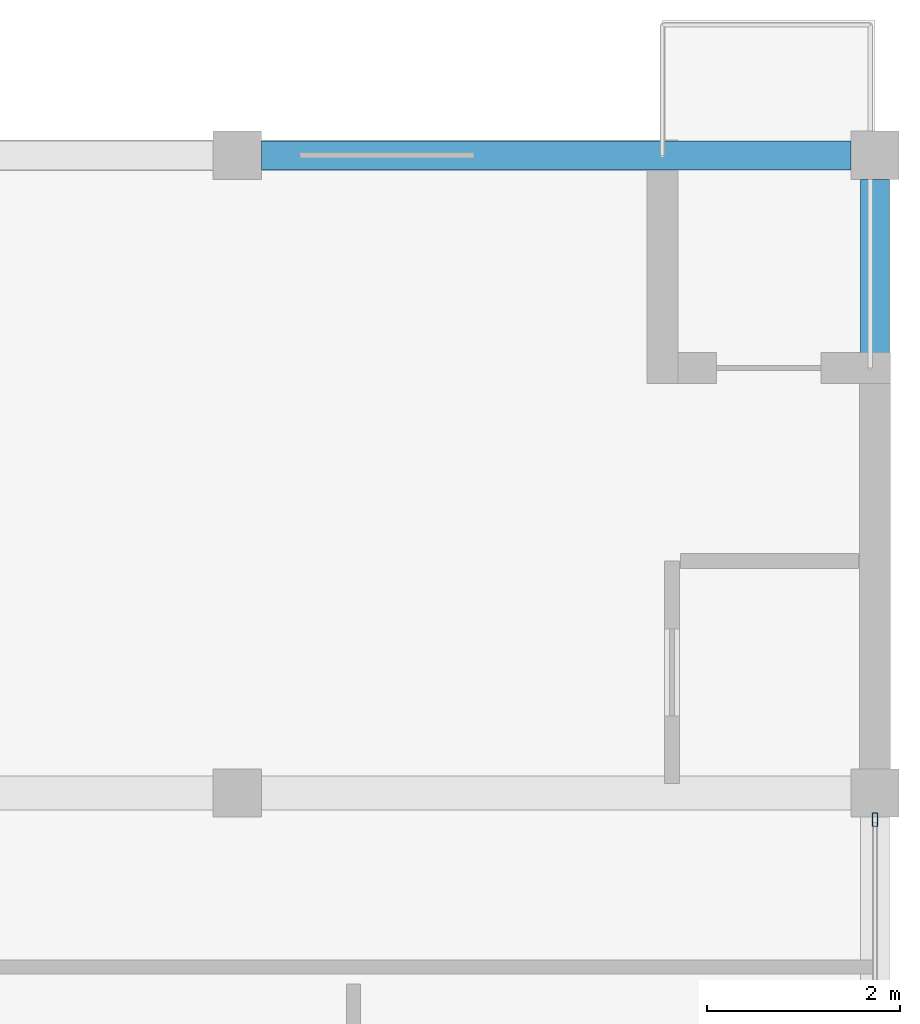
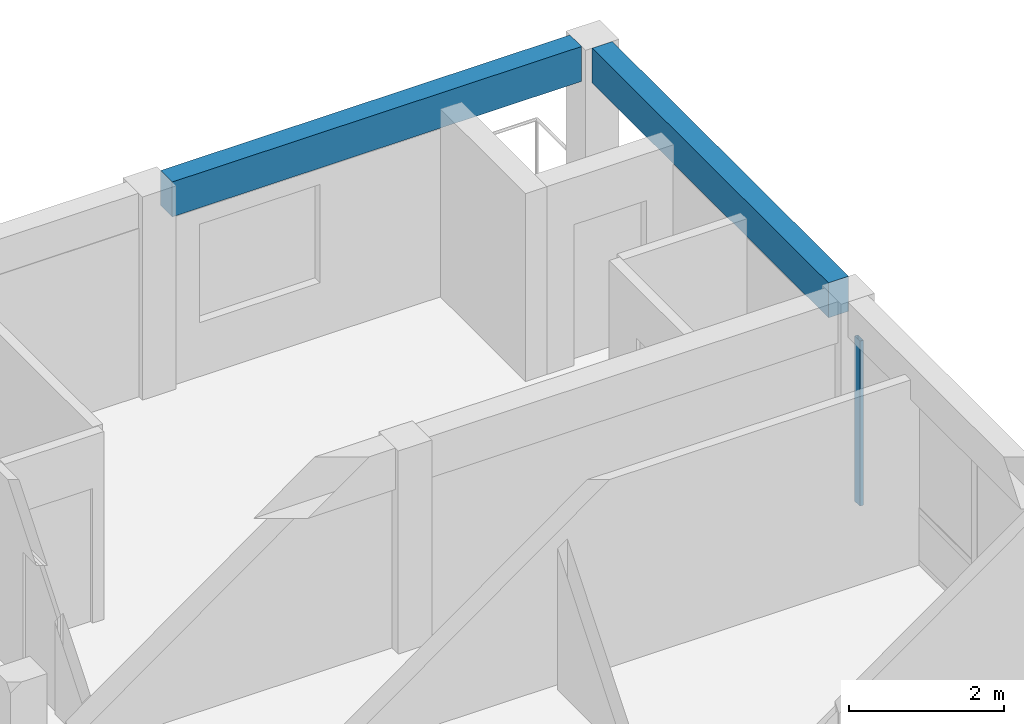
# One storey, part 24 of 53: 2 beams, 1 member, 1 element without a shape of its own.
"""IFC4 building model written with IfcOpenShell, lengths in metres."""

from ifc_helpers import new_model, si_unit, direction, frame, origin, origin_2d, place, context, subcontext, project, spatial, rectangle, hollow_rectangle, extrude, material, material_profile, profile_set, type_object, element, aggregate, save


model = new_model("IFC4")

# Units and contexts
model_context = context("Model", 3, precision=1e-05, world=origin(), true_north=direction((0.0, 1.0)))
body_context = subcontext(model_context, "Body", "Model", "MODEL_VIEW")
ifc_project = project(units=[si_unit("LENGTHUNIT", "METRE"), si_unit("AREAUNIT", "SQUARE_METRE"), si_unit("VOLUMEUNIT", "CUBIC_METRE"), si_unit("PLANEANGLEUNIT", "RADIAN"), si_unit("MASSUNIT", "GRAM", prefix="KILO")], contexts=[model_context])

# Site, building, storey
site_placement = place(None, origin())
site = spatial("IfcSite", under=ifc_project, at=site_placement, CompositionType="ELEMENT")
building_placement = place(site_placement, origin())
building = spatial("IfcBuilding", under=site, at=building_placement, Name="Kernevlak Ridge Housing Community", CompositionType="ELEMENT")
storey_placement = place(building_placement, frame((0.0, 0.0, 18.0)))
storey = spatial("IfcBuildingStorey", under=building, at=storey_placement, Name="L05", CompositionType="ELEMENT", Elevation=18.0)

# Curtain wall, member
ifc_material_1 = material(Name="Aluminium EN AW-6060 anodised and laminated glass", Category="aluminium")
curtain_wall_type = type_object("IfcCurtainWallType", Name="CW-13", PredefinedType="NOTDEFINED", material=ifc_material_1)
curtain_wall_placement = place(storey_placement, origin())
curtain_wall = element("IfcCurtainWall", 1, at=curtain_wall_placement, inside=storey, type_object=curtain_wall_type, Name="Curtain wall CW-13 CW-L05-072", PredefinedType="NOTDEFINED")
ifc_material_2 = material(Name="Aluminium EN AW-6060 anodised", Category="aluminium")
ifc_material_profile_1 = material_profile(ifc_material_2, hollow_rectangle(XDim=0.054931640625, YDim=0.139892578125, WallThickness=0.00390625, InnerFilletRadius=0.001953125, OuterFilletRadius=0.00390625, at=origin_2d()), Name="ALU 55x140x4")
ifc_profile_set_1 = profile_set([ifc_material_profile_1], Name="Aluminium EN AW-6060 anodised")
member_type = type_object("IfcMemberType", Name="MU-01", PredefinedType="MULLION", material=ifc_profile_set_1)
member_placement = place(storey_placement, frame((152.39990234375, 95.5224609375, 0.0), z_axis=(0.0, 0.0, 1.0), x_axis=(-1.0, 0.0, 0.0)))
member = element("IfcMember", 2, at=member_placement, type_object=member_type, Name="CW-13 mullion 3", PredefinedType="MULLION", context=body_context, shape_type="SweptSolid", body=[
    extrude(hollow_rectangle(XDim=0.054931640625, YDim=0.139892578125, WallThickness=0.00390625, InnerFilletRadius=0.001953125, OuterFilletRadius=0.00390625, at=origin_2d()), origin(), (0.0, 0.0, 1.0), 2.60009765625),
])
aggregate(curtain_wall, [member])

# Beams
ifc_material_3 = material(Name="Concrete C35/45", Category="concrete")
ifc_material_profile_2 = material_profile(ifc_material_3, rectangle(XDim=0.300048828125, YDim=0.550048828125, at=origin_2d()), Name="RC 300x550")
ifc_profile_set_2 = profile_set([ifc_material_profile_2], Name="Concrete C35/45")
beam_type = type_object("IfcBeamType", Name="SP-01", PredefinedType="SPANDREL", material=ifc_profile_set_2)
for number, where, z_axis, x_axis, name in (
    (3, (146.050048828125, 102.39990234375, 2.925048828125), (1.0, 0.0, 0.0), (0.0, 1.0, 0.0), "Beam SP-01 L05 726"),
    (4, (152.39990234375, 96.050048828125, 2.925048828125), (0.0, 1.0, 0.0), (-1.0, 0.0, 0.0), "Beam SP-01 L05 732"),
):
    element("IfcBeam", number, at=place(storey_placement, frame(where, z_axis=z_axis, x_axis=x_axis)), inside=storey, type_object=beam_type, Name=name, PredefinedType="SPANDREL", context=body_context, shape_type="SweptSolid", body=[
        extrude(rectangle(XDim=0.300048828125, YDim=0.550048828125, at=origin_2d()), origin(), (0.0, 0.0, 1.0), 6.099853515625),
    ])

save(model, "model.ifc")
